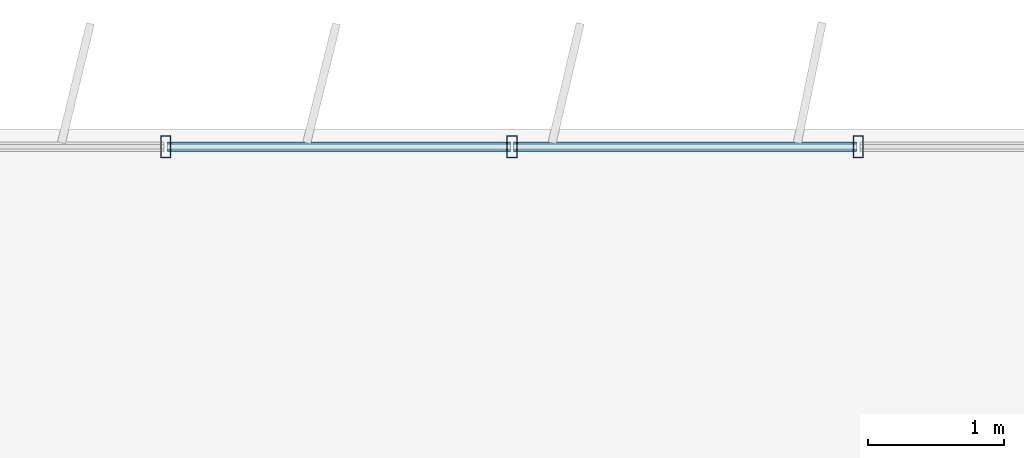
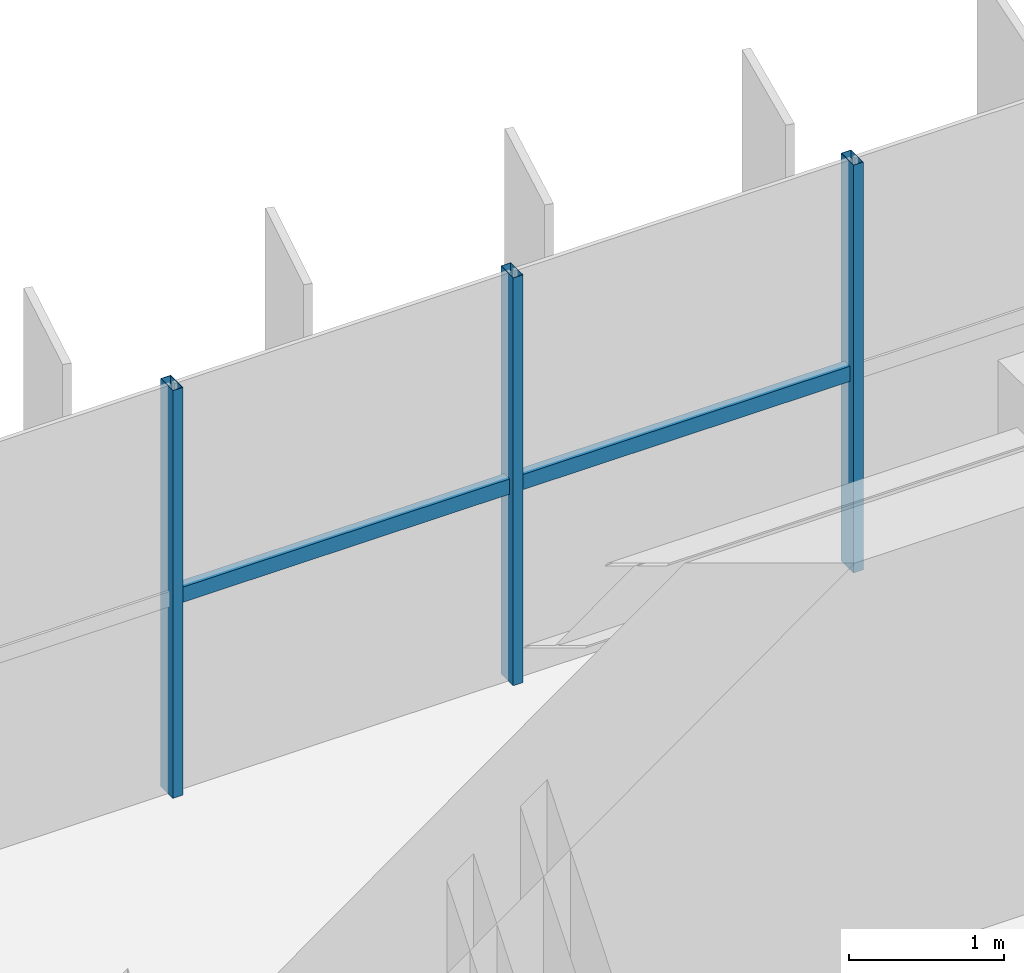
# One storey, part 12 of 27: 5 members, 1 element without a shape of its own.
"""IFC4 building model written with IfcOpenShell, lengths in metres."""

from ifc_helpers import new_model, si_unit, direction, frame, origin, origin_2d, place, context, subcontext, project, spatial, hollow_rectangle, extrude, source, transform, mapped, material, material_profile, profile_set, type_object, element, aggregate, save


model = new_model("IFC4")

# Units and contexts
model_context = context("Model", 3, precision=1e-05, world=origin(), true_north=direction((0.0, 1.0)))
body_context = subcontext(model_context, "Body", "Model", "MODEL_VIEW")
ifc_project = project(units=[si_unit("LENGTHUNIT", "METRE"), si_unit("AREAUNIT", "SQUARE_METRE"), si_unit("VOLUMEUNIT", "CUBIC_METRE"), si_unit("PLANEANGLEUNIT", "RADIAN"), si_unit("MASSUNIT", "GRAM", prefix="KILO")], contexts=[model_context])

# Site, building, storey
site_placement = place(None, origin())
site = spatial("IfcSite", under=ifc_project, at=site_placement, CompositionType="ELEMENT")
building_placement = place(site_placement, origin())
building = spatial("IfcBuilding", under=site, at=building_placement, Name="Trelvane Seafront Commons", CompositionType="ELEMENT")
storey_placement = place(building_placement, frame((0.0, 0.0, 237.300048828125)))
storey = spatial("IfcBuildingStorey", under=building, at=storey_placement, Name="L62", CompositionType="ELEMENT", Elevation=237.300048828125)

# Curtain wall, members
ifc_material = material(Name="Anodised pale-silver aluminium", Category="aluminium")
curtain_wall_type = type_object("IfcCurtainWallType", Name="ARCH-CW5-UPTOWER", PredefinedType="NOTDEFINED", material=ifc_material)
curtain_wall_placement = place(storey_placement, origin())
curtain_wall = element("IfcCurtainWall", 1, at=curtain_wall_placement, inside=storey, type_object=curtain_wall_type, Name="CW-L62-0106", PredefinedType="NOTDEFINED")
ifc_material_profile_1 = material_profile(ifc_material, hollow_rectangle(XDim=0.070068359375, YDim=0.1201171875, WallThickness=0.00390625, at=origin_2d()), Name="TRAN-70x120x4")
ifc_profile_set_1 = profile_set([ifc_material_profile_1], Name="Anodised pale-silver aluminium")
member_type_1 = type_object("IfcMemberType", Name="ARCH-CW-TRAN-120", PredefinedType="USERDEFINED", material=ifc_profile_set_1)
shared_shape_1 = source(origin(), body_context, "Body", "SweptSolid", [
    extrude(hollow_rectangle(XDim=0.070068359375, YDim=0.1201171875, WallThickness=0.00390625, at=origin_2d()), origin(), (0.0, 0.0, 1.0), 2.517333984375),
])
member_1_placement = place(storey_placement, frame((25.776611328125, 48.3701171875, 1.5458984375), z_axis=(1.0, 0.0, 0.0), x_axis=(0.0, 1.0, 0.0)))
member_1 = element("IfcMember", 2, at=member_1_placement, type_object=member_type_1, Name="CW-L62-0106-T04", ObjectType="TRANSOM", PredefinedType="USERDEFINED", context=body_context, shape_type="MappedRepresentation", body=[
    mapped(shared_shape_1, transform((0.0, 0.0, 0.0), x_axis=(1.0, 0.0, 0.0), y_axis=(0.0, 1.0, 0.0), z_axis=(0.0, 0.0, 1.0), scale=1.0)),
])
member_2_placement = place(storey_placement, frame((28.31787109375, 48.3701171875, 1.5458984375), z_axis=(1.0, 0.0, 0.0), x_axis=(0.0, 1.0, 0.0)))
member_2 = element("IfcMember", 3, at=member_2_placement, type_object=member_type_1, Name="CW-L62-0106-T05", ObjectType="TRANSOM", PredefinedType="USERDEFINED", context=body_context, shape_type="MappedRepresentation", body=[
    mapped(shared_shape_1, transform((0.0, 0.0, 0.0), x_axis=(1.0, 0.0, 0.0), y_axis=(0.0, 1.0, 0.0), z_axis=(0.0, 0.0, 1.0), scale=1.0)),
])
ifc_material_profile_2 = material_profile(ifc_material, hollow_rectangle(XDim=0.074951171875, YDim=0.159912109375, WallThickness=0.00390625, at=origin_2d()), Name="MULL-75x160x4")
ifc_profile_set_2 = profile_set([ifc_material_profile_2], Name="Anodised pale-silver aluminium")
member_type_2 = type_object("IfcMemberType", Name="ARCH-CW-MULL-160", PredefinedType="MULLION", material=ifc_profile_set_2)
shared_shape_2 = source(origin(), body_context, "Body", "SweptSolid", [
    extrude(hollow_rectangle(XDim=0.074951171875, YDim=0.159912109375, WallThickness=0.00390625, at=origin_2d()), origin(), (0.0, 0.0, 1.0), 3.219970703125),
])
member_3_placement = place(storey_placement, frame((25.7646484375, 48.3701171875, 0.0), z_axis=(0.0, 0.0, 1.0), x_axis=(1.0, 0.0, 0.0)))
member_3 = element("IfcMember", 4, at=member_3_placement, type_object=member_type_2, Name="CW-L62-0106-M04", PredefinedType="MULLION", context=body_context, shape_type="MappedRepresentation", body=[
    mapped(shared_shape_2, transform((0.0, 0.0, 0.0), x_axis=(1.0, 0.0, 0.0), y_axis=(0.0, 1.0, 0.0), z_axis=(0.0, 0.0, 1.0), scale=1.0)),
])
member_4_placement = place(storey_placement, frame((28.305908203125, 48.3701171875, 0.0), z_axis=(0.0, 0.0, 1.0), x_axis=(1.0, 0.0, 0.0)))
member_4 = element("IfcMember", 5, at=member_4_placement, type_object=member_type_2, Name="CW-L62-0106-M05", PredefinedType="MULLION", context=body_context, shape_type="MappedRepresentation", body=[
    mapped(shared_shape_2, transform((0.0, 0.0, 0.0), x_axis=(1.0, 0.0, 0.0), y_axis=(0.0, 1.0, 0.0), z_axis=(0.0, 0.0, 1.0), scale=1.0)),
])
member_5_placement = place(storey_placement, frame((30.84716796875, 48.3701171875, 0.0), z_axis=(0.0, 0.0, 1.0), x_axis=(1.0, 0.0, 0.0)))
member_5 = element("IfcMember", 6, at=member_5_placement, type_object=member_type_2, Name="CW-L62-0106-M06", PredefinedType="MULLION", context=body_context, shape_type="MappedRepresentation", body=[
    mapped(shared_shape_2, transform((0.0, 0.0, 0.0), x_axis=(1.0, 0.0, 0.0), y_axis=(0.0, 1.0, 0.0), z_axis=(0.0, 0.0, 1.0), scale=1.0)),
])
aggregate(curtain_wall, [member_3, member_4, member_5, member_1, member_2])

save(model, "model.ifc")
